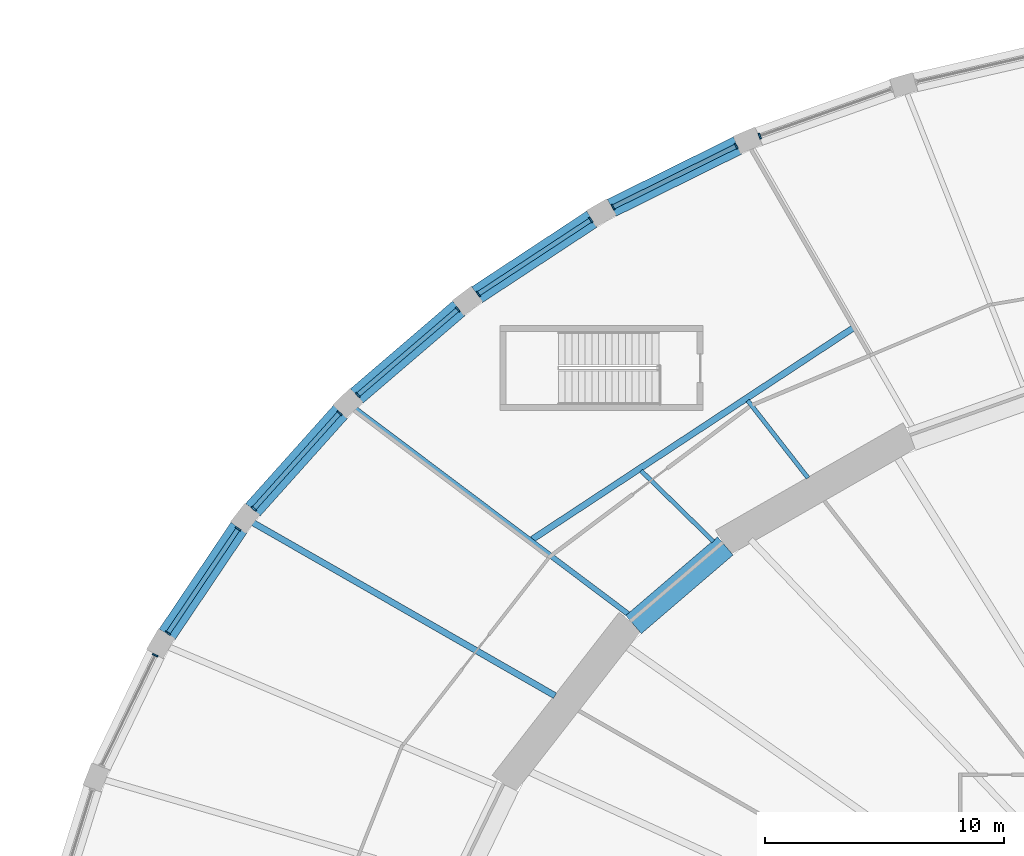
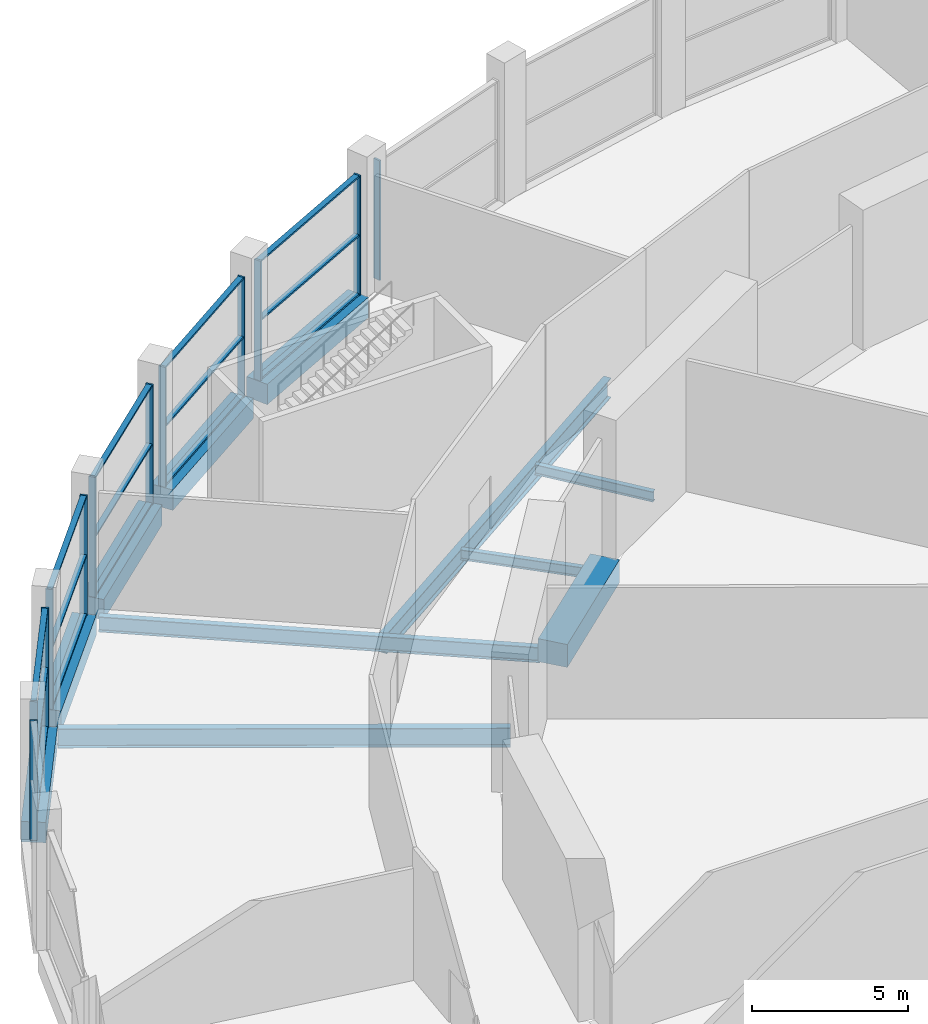
# One storey, part 12 of 29: 27 members, 11 beams, 7 elements without a shape of their own.
"""IFC4 building model written with IfcOpenShell, lengths in metres."""

from ifc_helpers import new_model, si_unit, direction, frame, origin, origin_2d, place, context, subcontext, project, spatial, rectangle, i_section, extrude, material, material_profile, profile_set, type_object, element, aggregate, save


model = new_model("IFC4")

# Units and contexts
model_context = context("Model", 3, precision=1e-05, world=origin(), true_north=direction((0.0, 1.0)))
body_context = subcontext(model_context, "Body", "Model", "MODEL_VIEW")
ifc_project = project(units=[si_unit("LENGTHUNIT", "METRE"), si_unit("AREAUNIT", "SQUARE_METRE"), si_unit("VOLUMEUNIT", "CUBIC_METRE"), si_unit("PLANEANGLEUNIT", "RADIAN"), si_unit("MASSUNIT", "GRAM", prefix="KILO")], contexts=[model_context])

# Site, building, storey
site_placement = place(None, origin())
site = spatial("IfcSite", under=ifc_project, at=site_placement, CompositionType="ELEMENT")
building_placement = place(site_placement, origin())
building = spatial("IfcBuilding", under=site, at=building_placement, Name="Halqa Exchange Tower", CompositionType="ELEMENT")
storey_placement = place(building_placement, frame((0.0, 0.0, 12.5)))
storey = spatial("IfcBuildingStorey", under=building, at=storey_placement, Name="L02", CompositionType="ELEMENT", Elevation=12.5)

# Curtain wall, member
ifc_material_1 = material(Name="Anodised aluminium and clear glass", Category="aluminium")
curtain_wall_type = type_object("IfcCurtainWallType", Name="Exchange hall glazing", PredefinedType="NOTDEFINED", material=ifc_material_1)
curtain_wall_1_placement = place(storey_placement, origin())
curtain_wall_1 = element("IfcCurtainWall", 1, at=curtain_wall_1_placement, inside=storey, type_object=curtain_wall_type, Name="Exchange hall glazing run P15", PredefinedType="NOTDEFINED")
ifc_material_2 = material(Name="Anodised aluminium", Category="aluminium")
ifc_material_profile_1 = material_profile(ifc_material_2, rectangle(XDim=0.25, YDim=0.070068359375, at=origin_2d()), Name="AL 70x250")
ifc_profile_set_1 = profile_set([ifc_material_profile_1], Name="Anodised aluminium")
member_type_1 = type_object("IfcMemberType", Name="Exchange hall glazing mullion 70 x 250", PredefinedType="MULLION", material=ifc_profile_set_1)
member_1_placement = place(storey_placement, frame((-23.37939453125, 41.7041015625, 0.0), z_axis=(0.0, 0.0, 1.0), x_axis=(0.334688348326, -0.942328875444, 0.0)))
member_1 = element("IfcMember", 2, at=member_1_placement, type_object=member_type_1, Name="P15 mullion 2", PredefinedType="MULLION", context=body_context, shape_type="SweptSolid", body=[
    extrude(rectangle(XDim=0.25, YDim=0.070068359375, at=origin_2d()), origin(), (0.0, 0.0, 1.0), 4.699951171875),
])
aggregate(curtain_wall_1, [member_1])

# Curtain wall, members
curtain_wall_2_placement = place(storey_placement, origin())
curtain_wall_2 = element("IfcCurtainWall", 3, at=curtain_wall_2_placement, inside=storey, type_object=curtain_wall_type, Name="Exchange hall glazing run P16", PredefinedType="NOTDEFINED")
member_2_placement = place(storey_placement, frame((-24.363037109375, 41.287841796875, 0.0), z_axis=(0.0, 0.0, 1.0), x_axis=(0.443653417058, -0.896198440934, 0.0)))
member_2 = element("IfcMember", 4, at=member_2_placement, type_object=member_type_1, Name="P16 mullion 1", PredefinedType="MULLION", context=body_context, shape_type="SweptSolid", body=[
    extrude(rectangle(XDim=0.25, YDim=0.070068359375, at=origin_2d()), origin(), (0.0, 0.0, 1.0), 4.699951171875),
])
member_3_placement = place(storey_placement, frame((-29.521240234375, 38.734375, 0.0), z_axis=(0.0, 0.0, 1.0), x_axis=(0.443653417058, -0.896198440934, 0.0)))
member_3 = element("IfcMember", 5, at=member_3_placement, type_object=member_type_1, Name="P16 mullion 2", PredefinedType="MULLION", context=body_context, shape_type="SweptSolid", body=[
    extrude(rectangle(XDim=0.25, YDim=0.070068359375, at=origin_2d()), origin(), (0.0, 0.0, 1.0), 4.699951171875),
])

curtain_wall_3_placement = place(storey_placement, origin())
curtain_wall_3 = element("IfcCurtainWall", 6, at=curtain_wall_3_placement, inside=storey, type_object=curtain_wall_type, Name="Exchange hall glazing run P17", PredefinedType="NOTDEFINED")
member_4_placement = place(storey_placement, frame((-30.44775390625, 38.202880859375, 0.0), z_axis=(0.0, 0.0, 1.0), x_axis=(0.549620040919, -0.835414753652, 0.0)))
member_4 = element("IfcMember", 7, at=member_4_placement, type_object=member_type_1, Name="P17 mullion 1", PredefinedType="MULLION", context=body_context, shape_type="SweptSolid", body=[
    extrude(rectangle(XDim=0.25, YDim=0.070068359375, at=origin_2d()), origin(), (0.0, 0.0, 1.0), 4.699951171875),
])
member_5_placement = place(storey_placement, frame((-35.15771484375, 35.104248046875, 0.0), z_axis=(0.0, 0.0, 1.0), x_axis=(0.549620040919, -0.835414753652, 0.0)))
member_5 = element("IfcMember", 8, at=member_5_placement, type_object=member_type_1, Name="P17 mullion 2", PredefinedType="MULLION", context=body_context, shape_type="SweptSolid", body=[
    extrude(rectangle(XDim=0.25, YDim=0.070068359375, at=origin_2d()), origin(), (0.0, 0.0, 1.0), 4.699951171875),
])

curtain_wall_4_placement = place(storey_placement, origin())
curtain_wall_4 = element("IfcCurtainWall", 9, at=curtain_wall_4_placement, inside=storey, type_object=curtain_wall_type, Name="Exchange hall glazing run P18", PredefinedType="NOTDEFINED")
member_6_placement = place(storey_placement, frame((-36.010986328125, 34.4619140625, 0.0), z_axis=(0.0, 0.0, 1.0), x_axis=(0.650910929175, -0.759154109704, 0.0)))
member_6 = element("IfcMember", 10, at=member_6_placement, type_object=member_type_1, Name="P18 mullion 1", PredefinedType="MULLION", context=body_context, shape_type="SweptSolid", body=[
    extrude(rectangle(XDim=0.25, YDim=0.070068359375, at=origin_2d()), origin(), (0.0, 0.0, 1.0), 4.699951171875),
])
member_7_placement = place(storey_placement, frame((-40.193115234375, 30.8759765625, 0.0), z_axis=(0.0, 0.0, 1.0), x_axis=(0.650910929175, -0.759154109704, 0.0)))
member_7 = element("IfcMember", 11, at=member_7_placement, type_object=member_type_1, Name="P18 mullion 2", PredefinedType="MULLION", context=body_context, shape_type="SweptSolid", body=[
    extrude(rectangle(XDim=0.25, YDim=0.070068359375, at=origin_2d()), origin(), (0.0, 0.0, 1.0), 4.699951171875),
])

curtain_wall_5_placement = place(storey_placement, origin())
curtain_wall_5 = element("IfcCurtainWall", 12, at=curtain_wall_5_placement, inside=storey, type_object=curtain_wall_type, Name="Exchange hall glazing run P19", PredefinedType="NOTDEFINED")
member_8_placement = place(storey_placement, frame((-40.9560546875, 30.12890625, 0.0), z_axis=(0.0, 0.0, 1.0), x_axis=(0.74514769466, -0.666899477539, 0.0)))
member_8 = element("IfcMember", 13, at=member_8_placement, type_object=member_type_1, Name="P19 mullion 1", PredefinedType="MULLION", context=body_context, shape_type="SweptSolid", body=[
    extrude(rectangle(XDim=0.25, YDim=0.070068359375, at=origin_2d()), origin(), (0.0, 0.0, 1.0), 4.699951171875),
])
member_9_placement = place(storey_placement, frame((-44.542724609375, 26.12158203125, 0.0), z_axis=(0.0, 0.0, 1.0), x_axis=(0.74514769466, -0.666899477539, 0.0)))
member_9 = element("IfcMember", 14, at=member_9_placement, type_object=member_type_1, Name="P19 mullion 2", PredefinedType="MULLION", context=body_context, shape_type="SweptSolid", body=[
    extrude(rectangle(XDim=0.25, YDim=0.070068359375, at=origin_2d()), origin(), (0.0, 0.0, 1.0), 4.699951171875),
])

curtain_wall_6_placement = place(storey_placement, origin())
curtain_wall_6 = element("IfcCurtainWall", 15, at=curtain_wall_6_placement, inside=storey, type_object=curtain_wall_type, Name="Exchange hall glazing run P20", PredefinedType="NOTDEFINED")
member_10_placement = place(storey_placement, frame((-45.1982421875, 25.279052734375, 0.0), z_axis=(0.0, 0.0, 1.0), x_axis=(0.8294895023, -0.55852230535, 0.0)))
member_10 = element("IfcMember", 16, at=member_10_placement, type_object=member_type_1, Name="P20 mullion 1", PredefinedType="MULLION", context=body_context, shape_type="SweptSolid", body=[
    extrude(rectangle(XDim=0.25, YDim=0.070068359375, at=origin_2d()), origin(), (0.0, 0.0, 1.0), 4.699951171875),
])
member_11_placement = place(storey_placement, frame((-48.13232421875, 20.921630859375, 0.0), z_axis=(0.0, 0.0, 1.0), x_axis=(0.8294895023, -0.55852230535, 0.0)))
member_11 = element("IfcMember", 17, at=member_11_placement, type_object=member_type_1, Name="P20 mullion 2", PredefinedType="MULLION", context=body_context, shape_type="SweptSolid", body=[
    extrude(rectangle(XDim=0.25, YDim=0.070068359375, at=origin_2d()), origin(), (0.0, 0.0, 1.0), 4.699951171875),
])

# Curtain wall, member
curtain_wall_7_placement = place(storey_placement, origin())
curtain_wall_7 = element("IfcCurtainWall", 18, at=curtain_wall_7_placement, inside=storey, type_object=curtain_wall_type, Name="Exchange hall glazing run P21", PredefinedType="NOTDEFINED")
member_12_placement = place(storey_placement, frame((-48.663818359375, 19.996337890625, 0.0), z_axis=(0.0, 0.0, 1.0), x_axis=(0.90043534892, -0.434989864727, 0.0)))
member_12 = element("IfcMember", 19, at=member_12_placement, type_object=member_type_1, Name="P21 mullion 1", PredefinedType="MULLION", context=body_context, shape_type="SweptSolid", body=[
    extrude(rectangle(XDim=0.25, YDim=0.070068359375, at=origin_2d()), origin(), (0.0, 0.0, 1.0), 4.699951171875),
])
aggregate(curtain_wall_7, [member_12])

# Member
ifc_material_profile_2 = material_profile(ifc_material_2, rectangle(XDim=0.199951171875, YDim=0.070068359375, at=origin_2d()), Name="AL 70x200")
ifc_profile_set_2 = profile_set([ifc_material_profile_2], Name="Anodised aluminium")
member_type_2 = type_object("IfcMemberType", Name="Exchange hall glazing transom 70 x 200", PredefinedType="USERDEFINED", material=ifc_profile_set_2)
member_13_placement = place(storey_placement, frame((-24.39453125, 41.2724609375, 0.034912109375), z_axis=(-0.89618076134, -0.443689128788, 0.0), x_axis=(0.443689128788, -0.89618076134, 0.0)))
member_13 = element("IfcMember", 20, at=member_13_placement, type_object=member_type_2, Name="P16 transom 1.1", ObjectType="TRANSOM", PredefinedType="USERDEFINED", context=body_context, shape_type="SweptSolid", body=[
    extrude(rectangle(XDim=0.199951171875, YDim=0.070068359375, at=origin_2d()), origin(), (0.0, 0.0, 1.0), 5.685791015625),
])

member_14_placement = place(storey_placement, frame((-24.39453125, 41.2724609375, 2.35009765625), z_axis=(-0.89618076134, -0.443689128788, 0.0), x_axis=(0.443689128788, -0.89618076134, 0.0)))
member_14 = element("IfcMember", 21, at=member_14_placement, type_object=member_type_2, Name="P16 transom 1.2", ObjectType="TRANSOM", PredefinedType="USERDEFINED", context=body_context, shape_type="SweptSolid", body=[
    extrude(rectangle(XDim=0.199951171875, YDim=0.070068359375, at=origin_2d()), origin(), (0.0, 0.0, 1.0), 5.685791015625),
])

member_15_placement = place(storey_placement, frame((-24.39453125, 41.2724609375, 4.6650390625), z_axis=(-0.89618076134, -0.443689128788, 0.0), x_axis=(0.443689128788, -0.89618076134, 0.0)))
member_15 = element("IfcMember", 22, at=member_15_placement, type_object=member_type_2, Name="P16 transom 1.3", ObjectType="TRANSOM", PredefinedType="USERDEFINED", context=body_context, shape_type="SweptSolid", body=[
    extrude(rectangle(XDim=0.199951171875, YDim=0.070068359375, at=origin_2d()), origin(), (0.0, 0.0, 1.0), 5.685791015625),
])

aggregate(curtain_wall_2, [member_2, member_3, member_13, member_14, member_15])

member_16_placement = place(storey_placement, frame((-30.47705078125, 38.183837890625, 0.034912109375), z_axis=(-0.835401187087, -0.549640661355, 0.0), x_axis=(0.549640661355, -0.835401187087, 0.0)))
member_16 = element("IfcMember", 23, at=member_16_placement, type_object=member_type_2, Name="P17 transom 1.1", ObjectType="TRANSOM", PredefinedType="USERDEFINED", context=body_context, shape_type="SweptSolid", body=[
    extrude(rectangle(XDim=0.199951171875, YDim=0.070068359375, at=origin_2d()), origin(), (0.0, 0.0, 1.0), 5.56787109375),
])

member_17_placement = place(storey_placement, frame((-30.47705078125, 38.183837890625, 2.35009765625), z_axis=(-0.835401187087, -0.549640661355, 0.0), x_axis=(0.549640661355, -0.835401187087, 0.0)))
member_17 = element("IfcMember", 24, at=member_17_placement, type_object=member_type_2, Name="P17 transom 1.2", ObjectType="TRANSOM", PredefinedType="USERDEFINED", context=body_context, shape_type="SweptSolid", body=[
    extrude(rectangle(XDim=0.199951171875, YDim=0.070068359375, at=origin_2d()), origin(), (0.0, 0.0, 1.0), 5.56787109375),
])

member_18_placement = place(storey_placement, frame((-30.47705078125, 38.183837890625, 4.6650390625), z_axis=(-0.835401187087, -0.549640661355, 0.0), x_axis=(0.549640661355, -0.835401187087, 0.0)))
member_18 = element("IfcMember", 25, at=member_18_placement, type_object=member_type_2, Name="P17 transom 1.3", ObjectType="TRANSOM", PredefinedType="USERDEFINED", context=body_context, shape_type="SweptSolid", body=[
    extrude(rectangle(XDim=0.199951171875, YDim=0.070068359375, at=origin_2d()), origin(), (0.0, 0.0, 1.0), 5.56787109375),
])

aggregate(curtain_wall_3, [member_4, member_5, member_16, member_17, member_18])

member_19_placement = place(storey_placement, frame((-36.037353515625, 34.439208984375, 0.034912109375), z_axis=(-0.759142529619, -0.650924434727, 0.0), x_axis=(0.650924434727, -0.759142529619, 0.0)))
member_19 = element("IfcMember", 26, at=member_19_placement, type_object=member_type_2, Name="P18 transom 1.1", ObjectType="TRANSOM", PredefinedType="USERDEFINED", context=body_context, shape_type="SweptSolid", body=[
    extrude(rectangle(XDim=0.199951171875, YDim=0.070068359375, at=origin_2d()), origin(), (0.0, 0.0, 1.0), 5.439208984375),
])

member_20_placement = place(storey_placement, frame((-36.037353515625, 34.439208984375, 2.35009765625), z_axis=(-0.759142529619, -0.650924434727, 0.0), x_axis=(0.650924434727, -0.759142529619, 0.0)))
member_20 = element("IfcMember", 27, at=member_20_placement, type_object=member_type_2, Name="P18 transom 1.2", ObjectType="TRANSOM", PredefinedType="USERDEFINED", context=body_context, shape_type="SweptSolid", body=[
    extrude(rectangle(XDim=0.199951171875, YDim=0.070068359375, at=origin_2d()), origin(), (0.0, 0.0, 1.0), 5.439208984375),
])

member_21_placement = place(storey_placement, frame((-36.037353515625, 34.439208984375, 4.6650390625), z_axis=(-0.759142529619, -0.650924434727, 0.0), x_axis=(0.650924434727, -0.759142529619, 0.0)))
member_21 = element("IfcMember", 28, at=member_21_placement, type_object=member_type_2, Name="P18 transom 1.3", ObjectType="TRANSOM", PredefinedType="USERDEFINED", context=body_context, shape_type="SweptSolid", body=[
    extrude(rectangle(XDim=0.199951171875, YDim=0.070068359375, at=origin_2d()), origin(), (0.0, 0.0, 1.0), 5.439208984375),
])

aggregate(curtain_wall_4, [member_6, member_7, member_19, member_20, member_21])

member_22_placement = place(storey_placement, frame((-40.9794921875, 30.10302734375, 0.034912109375), z_axis=(-0.666880900978, -0.745164320074, 0.0), x_axis=(0.745164320074, -0.666880900978, 0.0)))
member_22 = element("IfcMember", 29, at=member_22_placement, type_object=member_type_2, Name="P19 transom 1.1", ObjectType="TRANSOM", PredefinedType="USERDEFINED", context=body_context, shape_type="SweptSolid", body=[
    extrude(rectangle(XDim=0.199951171875, YDim=0.070068359375, at=origin_2d()), origin(), (0.0, 0.0, 1.0), 5.30810546875),
])

member_23_placement = place(storey_placement, frame((-40.9794921875, 30.10302734375, 2.35009765625), z_axis=(-0.666880900978, -0.745164320074, 0.0), x_axis=(0.745164320074, -0.666880900978, 0.0)))
member_23 = element("IfcMember", 30, at=member_23_placement, type_object=member_type_2, Name="P19 transom 1.2", ObjectType="TRANSOM", PredefinedType="USERDEFINED", context=body_context, shape_type="SweptSolid", body=[
    extrude(rectangle(XDim=0.199951171875, YDim=0.070068359375, at=origin_2d()), origin(), (0.0, 0.0, 1.0), 5.30810546875),
])

member_24_placement = place(storey_placement, frame((-40.9794921875, 30.10302734375, 4.6650390625), z_axis=(-0.666880900978, -0.745164320074, 0.0), x_axis=(0.745164320074, -0.666880900978, 0.0)))
member_24 = element("IfcMember", 31, at=member_24_placement, type_object=member_type_2, Name="P19 transom 1.3", ObjectType="TRANSOM", PredefinedType="USERDEFINED", context=body_context, shape_type="SweptSolid", body=[
    extrude(rectangle(XDim=0.199951171875, YDim=0.070068359375, at=origin_2d()), origin(), (0.0, 0.0, 1.0), 5.30810546875),
])

aggregate(curtain_wall_5, [member_8, member_9, member_22, member_23, member_24])

member_25_placement = place(storey_placement, frame((-45.2177734375, 25.250244140625, 0.034912109375), z_axis=(-0.558520359636, -0.82949081241, 0.0), x_axis=(0.82949081241, -0.558520359636, 0.0)))
member_25 = element("IfcMember", 32, at=member_25_placement, type_object=member_type_2, Name="P20 transom 1.1", ObjectType="TRANSOM", PredefinedType="USERDEFINED", context=body_context, shape_type="SweptSolid", body=[
    extrude(rectangle(XDim=0.199951171875, YDim=0.070068359375, at=origin_2d()), origin(), (0.0, 0.0, 1.0), 5.183349609375),
])

member_26_placement = place(storey_placement, frame((-45.2177734375, 25.250244140625, 2.35009765625), z_axis=(-0.558520359636, -0.82949081241, 0.0), x_axis=(0.82949081241, -0.558520359636, 0.0)))
member_26 = element("IfcMember", 33, at=member_26_placement, type_object=member_type_2, Name="P20 transom 1.2", ObjectType="TRANSOM", PredefinedType="USERDEFINED", context=body_context, shape_type="SweptSolid", body=[
    extrude(rectangle(XDim=0.199951171875, YDim=0.070068359375, at=origin_2d()), origin(), (0.0, 0.0, 1.0), 5.183349609375),
])

member_27_placement = place(storey_placement, frame((-45.2177734375, 25.250244140625, 4.6650390625), z_axis=(-0.558520359636, -0.82949081241, 0.0), x_axis=(0.82949081241, -0.558520359636, 0.0)))
member_27 = element("IfcMember", 34, at=member_27_placement, type_object=member_type_2, Name="P20 transom 1.3", ObjectType="TRANSOM", PredefinedType="USERDEFINED", context=body_context, shape_type="SweptSolid", body=[
    extrude(rectangle(XDim=0.199951171875, YDim=0.070068359375, at=origin_2d()), origin(), (0.0, 0.0, 1.0), 5.183349609375),
])

aggregate(curtain_wall_6, [member_10, member_11, member_25, member_26, member_27])

# Beams
ifc_material_3 = material(Name="Steel S355", Category="steel")
ifc_material_profile_3 = material_profile(ifc_material_3, i_section(OverallWidth=0.179931640625, OverallDepth=0.39990234375, WebThickness=0.008544921875, FlangeThickness=0.013427734375, FilletRadius=0.02099609375, at=origin_2d()), Name="IPE 400")
ifc_profile_set_3 = profile_set([ifc_material_profile_3], Name="Steel S355")
beam_type_1 = type_object("IfcBeamType", Name="Floor beam IPE 400", PredefinedType="BEAM", material=ifc_profile_set_3)
beam_1_placement = place(storey_placement, frame((-21.3603515625, 27.40966796875, -0.550048828125), z_axis=(-0.614706293657, 0.788756091919, 0.0), x_axis=(-0.788756091919, -0.614706293657, 0.0)))
element("IfcBeam", 35, at=beam_1_placement, inside=storey, type_object=beam_type_1, Name="Radial beam 17a", PredefinedType="BEAM", context=body_context, shape_type="SweptSolid", body=[
    extrude(i_section(OverallWidth=0.179931640625, OverallDepth=0.39990234375, WebThickness=0.008544921875, FlangeThickness=0.013427734375, FilletRadius=0.02099609375, at=origin_2d()), origin(), (0.0, 0.0, 1.0), 4.104248046875),
])
beam_2_placement = place(storey_placement, frame((-25.322265625, 24.757080078125, -0.550048828125), z_axis=(-0.715007310884, 0.699116975464, 0.0), x_axis=(-0.699116975464, -0.715007310884, 0.0)))
element("IfcBeam", 36, at=beam_2_placement, inside=storey, type_object=beam_type_1, Name="Radial beam 18a", PredefinedType="BEAM", context=body_context, shape_type="SweptSolid", body=[
    extrude(i_section(OverallWidth=0.179931640625, OverallDepth=0.39990234375, WebThickness=0.008544921875, FlangeThickness=0.013427734375, FilletRadius=0.02099609375, at=origin_2d()), origin(), (0.0, 0.0, 1.0), 4.22509765625),
])
ifc_material_profile_4 = material_profile(ifc_material_3, i_section(OverallWidth=0.219970703125, OverallDepth=0.60009765625, WebThickness=0.011962890625, FlangeThickness=0.01904296875, FilletRadius=0.02392578125, at=origin_2d()), Name="IPE 600")
ifc_profile_set_4 = profile_set([ifc_material_profile_4], Name="Steel S355")
beam_type_2 = type_object("IfcBeamType", Name="Floor beam IPE 600", PredefinedType="BEAM", material=ifc_profile_set_4)
beam_3_placement = place(storey_placement, frame((-28.875732421875, 21.71240234375, -0.64990234375), z_axis=(-0.799257291391, 0.600989003359, 0.0), x_axis=(-0.600989003359, -0.799257291391, 0.0)))
element("IfcBeam", 37, at=beam_3_placement, inside=storey, type_object=beam_type_2, Name="Radial beam 19", PredefinedType="BEAM", context=body_context, shape_type="SweptSolid", body=[
    extrude(i_section(OverallWidth=0.219970703125, OverallDepth=0.60009765625, WebThickness=0.011962890625, FlangeThickness=0.01904296875, FilletRadius=0.02392578125, at=origin_2d()), origin(), (0.0, 0.0, 1.0), 14.291259765625),
])
ifc_material_profile_5 = material_profile(ifc_material_3, i_section(OverallWidth=0.264892578125, OverallDepth=0.7529296875, WebThickness=0.01318359375, FlangeThickness=0.01708984375, FilletRadius=0.01708984375, at=origin_2d()), Name="IPE 750x147")
ifc_profile_set_5 = profile_set([ifc_material_profile_5], Name="Steel S355")
beam_type_3 = type_object("IfcBeamType", Name="Floor beam IPE 750x147", PredefinedType="BEAM", material=ifc_profile_set_5)
beam_4_placement = place(storey_placement, frame((-31.942626953125, 18.300048828125, -0.7265625), z_axis=(-0.867691436398, 0.497103179633, 0.0), x_axis=(-0.497103179633, -0.867691436398, 0.0)))
element("IfcBeam", 38, at=beam_4_placement, inside=storey, type_object=beam_type_3, Name="Radial beam 20", PredefinedType="BEAM", context=body_context, shape_type="SweptSolid", body=[
    extrude(i_section(OverallWidth=0.264892578125, OverallDepth=0.7529296875, WebThickness=0.01318359375, FlangeThickness=0.01708984375, FilletRadius=0.01708984375, at=origin_2d()), origin(), (0.0, 0.0, 1.0), 14.555908203125),
])
ifc_material_profile_6 = material_profile(ifc_material_3, i_section(OverallWidth=0.26806640625, OverallDepth=0.77001953125, WebThickness=0.015625, FlangeThickness=0.025390625, FilletRadius=0.01708984375, at=origin_2d()), Name="IPE 750x196")
ifc_profile_set_6 = profile_set([ifc_material_profile_6], Name="Steel S355")
beam_type_4 = type_object("IfcBeamType", Name="Floor beam IPE 750x196", PredefinedType="BEAM", material=ifc_profile_set_6)
beam_5_placement = place(storey_placement, frame((-19.467041015625, 33.682373046875, -0.735107421875), z_axis=(-0.835204203593, -0.54993994063, 0.0), x_axis=(0.54993994063, -0.835204203593, 0.0)))
element("IfcBeam", 39, at=beam_5_placement, inside=storey, type_object=beam_type_4, Name="Radial beam TPS3-in", PredefinedType="BEAM", context=body_context, shape_type="SweptSolid", body=[
    extrude(i_section(OverallWidth=0.26806640625, OverallDepth=0.77001953125, WebThickness=0.015625, FlangeThickness=0.025390625, FilletRadius=0.01708984375, at=origin_2d()), origin(), (0.0, 0.0, 1.0), 16.07958984375),
])
ifc_material_4 = material(Name="Concrete C60/75", Category="concrete")
ifc_material_profile_7 = material_profile(ifc_material_4, rectangle(XDim=0.800048828125, YDim=0.800048828125, at=origin_2d()), Name="800 x 800")
ifc_profile_set_7 = profile_set([ifc_material_profile_7], Name="Concrete C60/75")
beam_type_5 = type_object("IfcBeamType", Name="RC podium edge beam 800 x 800 C60/75", PredefinedType="SPANDREL", material=ifc_profile_set_7)
beam_6_placement = place(storey_placement, frame((-24.30712890625, 41.3154296875, -0.39990234375), z_axis=(-0.896205416004, -0.443639326847, 0.0), x_axis=(0.443639326847, -0.896205416004, 0.0)))
element("IfcBeam", 40, at=beam_6_placement, inside=storey, type_object=beam_type_5, Name="Podium edge beam 16", PredefinedType="SPANDREL", context=body_context, shape_type="SweptSolid", body=[
    extrude(rectangle(XDim=0.800048828125, YDim=0.800048828125, at=origin_2d()), origin(), (0.0, 0.0, 1.0), 5.880126953125),
])
beam_7_placement = place(storey_placement, frame((-30.396240234375, 38.23681640625, -0.39990234375), z_axis=(-0.835418618456, -0.549614166426, 0.0), x_axis=(0.549614166426, -0.835418618456, 0.0)))
element("IfcBeam", 41, at=beam_7_placement, inside=storey, type_object=beam_type_5, Name="Podium edge beam 17", PredefinedType="SPANDREL", context=body_context, shape_type="SweptSolid", body=[
    extrude(rectangle(XDim=0.800048828125, YDim=0.800048828125, at=origin_2d()), origin(), (0.0, 0.0, 1.0), 5.760986328125),
])
beam_8_placement = place(storey_placement, frame((-35.963134765625, 34.502685546875, -0.39990234375), z_axis=(-0.759174010844, -0.650887717859, 0.0), x_axis=(0.650887717859, -0.759174010844, 0.0)))
element("IfcBeam", 42, at=beam_8_placement, inside=storey, type_object=beam_type_5, Name="Podium edge beam 18", PredefinedType="SPANDREL", context=body_context, shape_type="SweptSolid", body=[
    extrude(rectangle(XDim=0.800048828125, YDim=0.800048828125, at=origin_2d()), origin(), (0.0, 0.0, 1.0), 5.63427734375),
])
beam_9_placement = place(storey_placement, frame((-40.914794921875, 30.175048828125, -0.39990234375), z_axis=(-0.666902525907, -0.745144966392, 0.0), x_axis=(0.745144966392, -0.666902525907, 0.0)))
element("IfcBeam", 43, at=beam_9_placement, inside=storey, type_object=beam_type_5, Name="Podium edge beam 19", PredefinedType="SPANDREL", context=body_context, shape_type="SweptSolid", body=[
    extrude(rectangle(XDim=0.800048828125, YDim=0.800048828125, at=origin_2d()), origin(), (0.0, 0.0, 1.0), 5.501220703125),
])
beam_10_placement = place(storey_placement, frame((-45.1630859375, 25.331298828125, -0.39990234375), z_axis=(-0.558528358221, -0.829485426673, 0.0), x_axis=(0.829485426673, -0.558528358221, 0.0)))
element("IfcBeam", 44, at=beam_10_placement, inside=storey, type_object=beam_type_5, Name="Podium edge beam 20", PredefinedType="SPANDREL", context=body_context, shape_type="SweptSolid", body=[
    extrude(rectangle(XDim=0.800048828125, YDim=0.800048828125, at=origin_2d()), origin(), (0.0, 0.0, 1.0), 5.378173828125),
])
ifc_material_profile_8 = material_profile(ifc_material_4, rectangle(XDim=1.0, YDim=0.89990234375, at=origin_2d()), Name="1000 x 900")
ifc_profile_set_8 = profile_set([ifc_material_profile_8], Name="Concrete C60/75")
beam_type_6 = type_object("IfcBeamType", Name="RC spandrel beam 1000 x 900 C60/75", PredefinedType="SPANDREL", material=ifc_profile_set_8)
beam_11_placement = place(storey_placement, frame((-24.81982421875, 24.56689453125, -0.449951171875), z_axis=(-0.759263417999, -0.650783421799, 0.0), x_axis=(0.650783421799, -0.759263417999, 0.0)))
element("IfcBeam", 45, at=beam_11_placement, inside=storey, type_object=beam_type_6, Name="Spandrel 12", PredefinedType="SPANDREL", context=body_context, shape_type="SweptSolid", body=[
    extrude(rectangle(XDim=1.0, YDim=0.89990234375, at=origin_2d()), origin(), (0.0, 0.0, 1.0), 5.056884765625),
])

save(model, "model.ifc")
